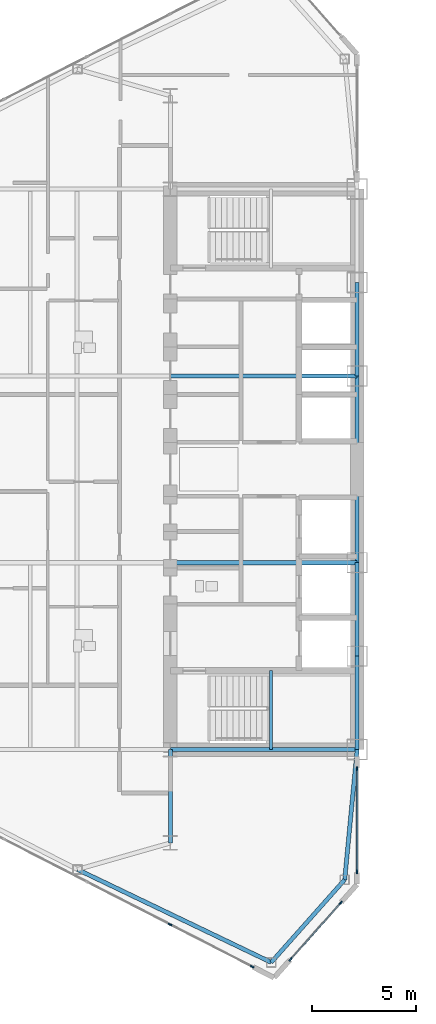
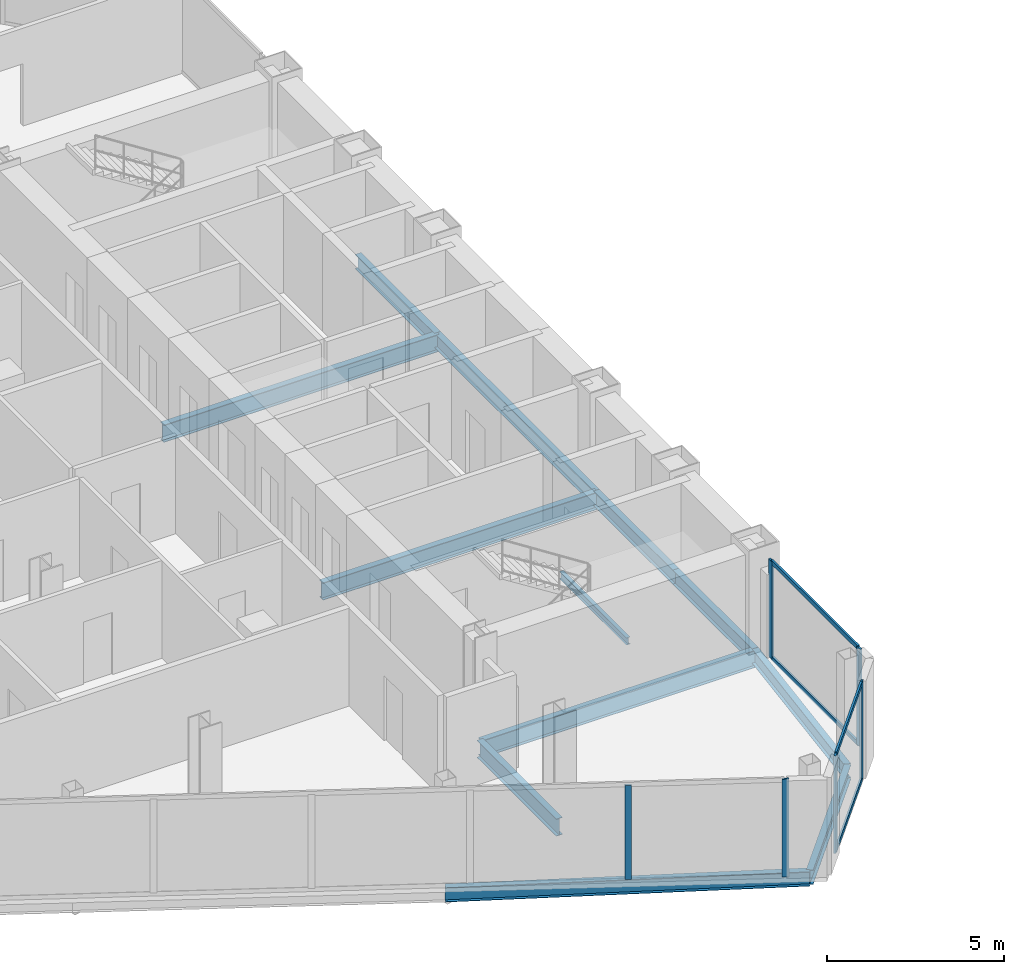
# One storey, part 5 of 24: 12 beams, 10 members, 3 elements without a shape of their own.
"""IFC4 building model written with IfcOpenShell, lengths in metres."""

from ifc_helpers import new_model, si_unit, direction, frame, origin, origin_2d, place, context, subcontext, project, spatial, rectangle, i_section, extrude, source, transform, mapped, material, layer, layer_set, material_profile, profile_set, type_object, type_shapes, element, aggregate, save


model = new_model("IFC4")

# Units and contexts
model_context = context("Model", 3, precision=1e-05, world=origin(), true_north=direction((0.0, 1.0)))
body_context = subcontext(model_context, "Body", "Model", "MODEL_VIEW")
ifc_project = project(units=[si_unit("LENGTHUNIT", "METRE"), si_unit("AREAUNIT", "SQUARE_METRE"), si_unit("VOLUMEUNIT", "CUBIC_METRE"), si_unit("PLANEANGLEUNIT", "RADIAN"), si_unit("MASSUNIT", "GRAM", prefix="KILO")], contexts=[model_context])

# Site, building, storey
site_placement = place(None, origin())
site = spatial("IfcSite", under=ifc_project, at=site_placement, CompositionType="ELEMENT")
building_placement = place(site_placement, origin())
building = spatial("IfcBuilding", under=site, at=building_placement, Name="Seokmaru Belvedere", CompositionType="ELEMENT")
storey_placement = place(building_placement, frame((0.0, 0.0, 124.800048828125)))
storey = spatial("IfcBuildingStorey", under=building, at=storey_placement, Name="L33", CompositionType="ELEMENT", Elevation=124.800048828125)

# Beams
ifc_material_1 = material(Name="Steel SM355 (355 MPa)", Category="steel")
ifc_material_profile_1 = material_profile(ifc_material_1, i_section(OverallWidth=0.199951171875, OverallDepth=0.5, WebThickness=0.010009765625, FlangeThickness=0.01611328125, at=origin_2d()), Name="H-500x200x10x16")
ifc_profile_set_1 = profile_set([ifc_material_profile_1], Name="Steel SM355 (355 MPa)")
beam_type_1 = type_object("IfcBeamType", Name="Perimeter Spandrel Beam H-500", PredefinedType="SPANDREL", material=ifc_profile_set_1)
shared_shape_1 = source(origin(), body_context, "Body", "SweptSolid", [
    extrude(i_section(OverallWidth=0.199951171875, OverallDepth=0.5, WebThickness=0.010009765625, FlangeThickness=0.01611328125, at=origin_2d()), origin(), (0.0, 0.0, 1.0), 4.5),
])
for number, where, z_axis, x_axis, name in (
    (1, (-27.5, -13.5, -0.469970703125), (0.0, 1.0, 0.0), (-1.0, 0.0, 0.0), "L33 W Portal Spine Spandrel 1"),
    (2, (-27.5, -9.0, -0.469970703125), (0.0, 1.0, 0.0), (-1.0, 0.0, 0.0), "L33 W Portal Spine Spandrel 2"),
    (3, (-27.5, 4.5, -0.469970703125), (0.0, 1.0, 0.0), (-1.0, 0.0, 0.0), "L33 W Portal Spine Spandrel 4"),
):
    element("IfcBeam", number, at=place(storey_placement, frame(where, z_axis=z_axis, x_axis=x_axis)), inside=storey, type_object=beam_type_1, Name=name, PredefinedType="SPANDREL", context=body_context, shape_type="MappedRepresentation", body=[
        mapped(shared_shape_1, transform((0.0, 0.0, 0.0), scale=1.0)),
    ])
shared_shape_2 = source(origin(), body_context, "Body", "SweptSolid", [
    extrude(i_section(OverallWidth=0.199951171875, OverallDepth=0.5, WebThickness=0.010009765625, FlangeThickness=0.01611328125, at=origin_2d()), origin(), (0.0, 0.0, 1.0), 9.0),
])
beam_1_placement = place(storey_placement, frame((-27.5, -4.5, -0.469970703125), z_axis=(0.0, 1.0, 0.0), x_axis=(-1.0, 0.0, 0.0)))
element("IfcBeam", 4, at=beam_1_placement, inside=storey, type_object=beam_type_1, Name="L33 W Portal Spine Spandrel 3", PredefinedType="SPANDREL", context=body_context, shape_type="MappedRepresentation", body=[
    mapped(shared_shape_2, transform((0.0, 0.0, 0.0), scale=1.0)),
])
ifc_material_profile_2 = material_profile(ifc_material_1, i_section(OverallWidth=0.199951171875, OverallDepth=0.60009765625, WebThickness=0.010986328125, FlangeThickness=0.01708984375, at=origin_2d()), Name="H-600x200x11x17")
ifc_profile_set_2 = profile_set([ifc_material_profile_2], Name="Steel SM355 (355 MPa)")
beam_type_2 = type_object("IfcBeamType", Name="Primary Floor Girder H-600", PredefinedType="BEAM", material=ifc_profile_set_2)
shared_shape_3 = source(origin(), body_context, "Body", "SweptSolid", [
    extrude(i_section(OverallWidth=0.199951171875, OverallDepth=0.60009765625, WebThickness=0.010986328125, FlangeThickness=0.01708984375, at=origin_2d()), origin(), (0.0, 0.0, 1.0), 9.0),
])
for number, where, z_axis, x_axis, name in (
    (5, (-36.5, -13.5, -0.52001953125), (1.0, 0.0, 0.0), (0.0, 1.0, 0.0), "L33 W Core Tie Girder 1"),
    (6, (-36.5, -4.5, -0.52001953125), (1.0, 0.0, 0.0), (0.0, 1.0, 0.0), "L33 W Core Tie Girder 2"),
    (7, (-36.5, 4.5, -0.52001953125), (1.0, 0.0, 0.0), (0.0, 1.0, 0.0), "L33 W Core Tie Girder 3"),
):
    element("IfcBeam", number, at=place(storey_placement, frame(where, z_axis=z_axis, x_axis=x_axis)), inside=storey, type_object=beam_type_2, Name=name, PredefinedType="BEAM", context=body_context, shape_type="MappedRepresentation", body=[
        mapped(shared_shape_3, transform((0.0, 0.0, 0.0), scale=1.0)),
    ])
shared_shape_4 = source(origin(), body_context, "Body", "SweptSolid", [
    extrude(i_section(OverallWidth=0.199951171875, OverallDepth=0.60009765625, WebThickness=0.010986328125, FlangeThickness=0.01708984375, at=origin_2d()), origin(), (0.0, 0.0, 1.0), 4.5),
])
type_shapes(beam_type_2, [shared_shape_3, shared_shape_4])
beam_2_placement = place(storey_placement, frame((-36.5, -18.0, -0.52001953125), z_axis=(0.0, 1.0, 0.0), x_axis=(-1.0, 0.0, 0.0)))
element("IfcBeam", 8, at=beam_2_placement, inside=storey, type_object=beam_type_2, Name="L33 W Core Shoulder Girder S", PredefinedType="BEAM", context=body_context, shape_type="MappedRepresentation", body=[
    mapped(shared_shape_4, transform((0.0, 0.0, 0.0), scale=1.0)),
])
shared_shape_5 = source(origin(), body_context, "Body", "SweptSolid", [
    extrude(i_section(OverallWidth=0.199951171875, OverallDepth=0.5, WebThickness=0.010009765625, FlangeThickness=0.01611328125, at=origin_2d()), origin(), (0.0, 0.0, 1.0), 10.353759765625),
])
beam_3_placement = place(storey_placement, frame((-31.6396484375, -23.75390625, -0.469970703125), z_axis=(-0.901713202822, 0.432334708134, 0.0), x_axis=(-0.432334708134, -0.901713202822, 0.0)))
element("IfcBeam", 9, at=beam_3_placement, inside=storey, type_object=beam_type_1, Name="L33 W Faceted Flank Spandrel S-1", PredefinedType="SPANDREL", context=body_context, shape_type="MappedRepresentation", body=[
    mapped(shared_shape_5, transform((0.0, 0.0, 0.0), scale=1.0)),
])
shared_shape_6 = source(origin(), body_context, "Body", "SweptSolid", [
    extrude(i_section(OverallWidth=0.199951171875, OverallDepth=0.5, WebThickness=0.010009765625, FlangeThickness=0.01611328125, at=origin_2d()), origin(), (0.0, 0.0, 1.0), 5.32763671875),
])
beam_4_placement = place(storey_placement, frame((-31.6396484375, -23.75390625, -0.469970703125), z_axis=(0.66436952742, 0.74740426212, 0.0), x_axis=(-0.74740426212, 0.66436952742, 0.0)))
element("IfcBeam", 10, at=beam_4_placement, inside=storey, type_object=beam_type_1, Name="L33 W Shoulder Chamfer Spandrel S", PredefinedType="SPANDREL", context=body_context, shape_type="MappedRepresentation", body=[
    mapped(shared_shape_6, transform((0.0, 0.0, 0.0), scale=1.0)),
])
shared_shape_7 = source(origin(), body_context, "Body", "SweptSolid", [
    extrude(i_section(OverallWidth=0.199951171875, OverallDepth=0.5, WebThickness=0.010009765625, FlangeThickness=0.01611328125, at=origin_2d()), origin(), (0.0, 0.0, 1.0), 6.300537109375),
])
type_shapes(beam_type_1, [shared_shape_1, shared_shape_2, shared_shape_5, shared_shape_6, shared_shape_7])
beam_5_placement = place(storey_placement, frame((-28.10009765625, -19.77197265625, -0.469970703125), z_axis=(0.095244287992, 0.995453929424, 0.0), x_axis=(-0.995453929424, 0.095244287992, 0.0)))
element("IfcBeam", 11, at=beam_5_placement, inside=storey, type_object=beam_type_1, Name="L33 W Shoulder Spine Spandrel S", PredefinedType="SPANDREL", context=body_context, shape_type="MappedRepresentation", body=[
    mapped(shared_shape_7, transform((0.0, 0.0, 0.0), scale=1.0)),
])

# Curtain wall, members
ifc_material_2 = material(Name="Bronze Triple Insulating Glass", Category="glass")
ifc_layer = layer(ifc_material_2, 0.195068359375)
ifc_layer_set = layer_set([ifc_layer], Name="Bronze Triple Insulating Glass")
curtain_wall_type = type_object("IfcCurtainWallType", Name="Sky-Lobby and Mid-Rise Curtain Wall System CW-4", PredefinedType="NOTDEFINED", material=ifc_layer_set)
curtain_wall_1_placement = place(storey_placement, origin())
curtain_wall_1 = element("IfcCurtainWall", 12, at=curtain_wall_1_placement, inside=storey, type_object=curtain_wall_type, Name="L33 Curtain Wall WSP_1", PredefinedType="NOTDEFINED")
ifc_material_3 = material(Name="Anodised Bronze Aluminium", Category="aluminium")
ifc_material_profile_3 = material_profile(ifc_material_3, rectangle(XDim=0.070068359375, YDim=0.195068359375, at=origin_2d()), Name="CW-M-70x195")
ifc_profile_set_3 = profile_set([ifc_material_profile_3], Name="Anodised Bronze Aluminium")
member_type_1 = type_object("IfcMemberType", Name="Bronze Unitised Mullion 70x195", PredefinedType="MULLION", material=ifc_profile_set_3)
shared_shape_8 = source(origin(), body_context, "Body", "SweptSolid", [
    extrude(rectangle(XDim=0.070068359375, YDim=0.195068359375, at=origin_2d()), origin(), (0.0, 0.0, 1.0), 3.3798828125),
])
member_1_placement = place(storey_placement, frame((-27.5, -19.39501953125, 0.0), z_axis=(0.0, 0.0, 1.0), x_axis=(-1.0, 0.0, 0.0)))
member_1 = element("IfcMember", 13, at=member_1_placement, type_object=member_type_1, Name="CW:L33:WSP_1 Mullion 1", PredefinedType="MULLION", context=body_context, shape_type="MappedRepresentation", body=[
    mapped(shared_shape_8, transform((0.0, 0.0, 0.0), scale=1.0)),
])
member_2_placement = place(storey_placement, frame((-27.5, -14.4150390625, 0.0), z_axis=(0.0, 0.0, 1.0), x_axis=(-1.0, 0.0, 0.0)))
member_2 = element("IfcMember", 14, at=member_2_placement, type_object=member_type_1, Name="CW:L33:WSP_1 Mullion 2", PredefinedType="MULLION", context=body_context, shape_type="MappedRepresentation", body=[
    mapped(shared_shape_8, transform((0.0, 0.0, 0.0), scale=1.0)),
])

# Curtain wall, member
curtain_wall_2_placement = place(storey_placement, origin())
curtain_wall_2 = element("IfcCurtainWall", 15, at=curtain_wall_2_placement, inside=storey, type_object=curtain_wall_type, Name="L33 Curtain Wall WF5", PredefinedType="NOTDEFINED")
member_3_placement = place(storey_placement, frame((-32.55419921875, -23.958984375, 0.0), z_axis=(0.0, 0.0, 1.0), x_axis=(0.456554528263, 0.889695432562, 0.0)))
member_3 = element("IfcMember", 16, at=member_3_placement, type_object=member_type_1, Name="CW:L33:WF5 Mullion 10", PredefinedType="MULLION", context=body_context, shape_type="MappedRepresentation", body=[
    mapped(shared_shape_8, transform((0.0, 0.0, 0.0), scale=1.0)),
])

# Curtain wall, members
curtain_wall_3_placement = place(storey_placement, origin())
curtain_wall_3 = element("IfcCurtainWall", 17, at=curtain_wall_3_placement, inside=storey, type_object=curtain_wall_type, Name="L33 Curtain Wall WF6", PredefinedType="NOTDEFINED")
member_4_placement = place(storey_placement, frame((-30.712646484375, -23.6142578125, 0.0), z_axis=(0.0, 0.0, 1.0), x_axis=(-0.747409774804, 0.664363325694, 0.0)))
member_4 = element("IfcMember", 18, at=member_4_placement, type_object=member_type_1, Name="CW:L33:WF6 Mullion 1", PredefinedType="MULLION", context=body_context, shape_type="MappedRepresentation", body=[
    mapped(shared_shape_8, transform((0.0, 0.0, 0.0), scale=1.0)),
])
member_5_placement = place(storey_placement, frame((-28.287353515625, -20.8857421875, 0.0), z_axis=(0.0, 0.0, 1.0), x_axis=(-0.747409774804, 0.664363325694, 0.0)))
member_5 = element("IfcMember", 19, at=member_5_placement, type_object=member_type_1, Name="CW:L33:WF6 Mullion 2", PredefinedType="MULLION", context=body_context, shape_type="MappedRepresentation", body=[
    mapped(shared_shape_8, transform((0.0, 0.0, 0.0), scale=1.0)),
])

# Member
ifc_material_profile_4 = material_profile(ifc_material_3, rectangle(XDim=0.06494140625, YDim=0.14990234375, at=origin_2d()), Name="CW-T-65x150")
ifc_profile_set_4 = profile_set([ifc_material_profile_4], Name="Anodised Bronze Aluminium")
member_type_2 = type_object("IfcMemberType", Name="Bronze Unitised Transom 65x150", PredefinedType="USERDEFINED", material=ifc_profile_set_4)
shared_shape_9 = source(origin(), body_context, "Body", "SweptSolid", [
    extrude(rectangle(XDim=0.06494140625, YDim=0.14990234375, at=origin_2d()), origin(), (0.0, 0.0, 1.0), 4.91015625),
])
member_6_placement = place(storey_placement, frame((-27.5, -19.360107421875, 0.032470703125), z_axis=(0.0, 1.0, 0.0), x_axis=(-1.0, 0.0, 0.0)))
member_6 = element("IfcMember", 20, at=member_6_placement, type_object=member_type_2, Name="CW:L33:WSP_1 Continuous Transom 1", ObjectType="TRANSOM", PredefinedType="USERDEFINED", context=body_context, shape_type="MappedRepresentation", body=[
    mapped(shared_shape_9, transform((0.0, 0.0, 0.0), scale=1.0)),
])

member_7_placement = place(storey_placement, frame((-27.5, -19.360107421875, 3.347412109375), z_axis=(0.0, 1.0, 0.0), x_axis=(-1.0, 0.0, 0.0)))
member_7 = element("IfcMember", 21, at=member_7_placement, type_object=member_type_2, Name="CW:L33:WSP_1 Continuous Transom 2", ObjectType="TRANSOM", PredefinedType="USERDEFINED", context=body_context, shape_type="MappedRepresentation", body=[
    mapped(shared_shape_9, transform((0.0, 0.0, 0.0), scale=1.0)),
])

aggregate(curtain_wall_1, [member_1, member_2, member_6, member_7])

shared_shape_10 = source(origin(), body_context, "Body", "SweptSolid", [
    extrude(rectangle(XDim=0.06494140625, YDim=0.14990234375, at=origin_2d()), origin(), (0.0, 0.0, 1.0), 3.580810546875),
])
type_shapes(member_type_2, [shared_shape_9, shared_shape_10])
member_8_placement = place(storey_placement, frame((-30.689453125, -23.588134765625, 0.032470703125), z_axis=(0.66436383883, 0.747409318684, 0.0), x_axis=(-0.747409318684, 0.66436383883, 0.0)))
member_8 = element("IfcMember", 22, at=member_8_placement, type_object=member_type_2, Name="CW:L33:WF6 Continuous Transom 1", ObjectType="TRANSOM", PredefinedType="USERDEFINED", context=body_context, shape_type="MappedRepresentation", body=[
    mapped(shared_shape_10, transform((0.0, 0.0, 0.0), scale=1.0)),
])

member_9_placement = place(storey_placement, frame((-30.689453125, -23.588134765625, 3.347412109375), z_axis=(0.66436383883, 0.747409318684, 0.0), x_axis=(-0.747409318684, 0.66436383883, 0.0)))
member_9 = element("IfcMember", 23, at=member_9_placement, type_object=member_type_2, Name="CW:L33:WF6 Continuous Transom 2", ObjectType="TRANSOM", PredefinedType="USERDEFINED", context=body_context, shape_type="MappedRepresentation", body=[
    mapped(shared_shape_10, transform((0.0, 0.0, 0.0), scale=1.0)),
])

aggregate(curtain_wall_3, [member_4, member_5, member_8, member_9])

shared_shape_11 = source(origin(), body_context, "Body", "SweptSolid", [
    extrude(rectangle(XDim=0.070068359375, YDim=0.195068359375, at=origin_2d()), origin(), (0.0, 0.0, 1.0), 3.25),
])
type_shapes(member_type_1, [shared_shape_8, shared_shape_11])
member_10_placement = place(storey_placement, frame((-36.51806640625, -21.925048828125, 0.06494140625), z_axis=(0.0, 0.0, 1.0), x_axis=(0.456554528263, 0.889695432562, 0.0)))
member_10 = element("IfcMember", 24, at=member_10_placement, type_object=member_type_1, Name="CW:L33:WF5 Mullion 9", PredefinedType="MULLION", context=body_context, shape_type="MappedRepresentation", body=[
    mapped(shared_shape_11, transform((0.0, 0.0, 0.0), scale=1.0)),
])

aggregate(curtain_wall_2, [member_10, member_3])

# Beam
ifc_material_profile_5 = material_profile(ifc_material_1, i_section(OverallWidth=0.125, OverallDepth=0.25, WebThickness=0.006103515625, FlangeThickness=0.009033203125, at=origin_2d()), Name="H-250x125x6x9")
ifc_profile_set_5 = profile_set([ifc_material_profile_5], Name="Steel SM355 (355 MPa)")
beam_type_3 = type_object("IfcBeamType", Name="Stair Mid-Landing Support Beam H-250", PredefinedType="JOIST", material=ifc_profile_set_5)
shared_shape_12 = source(origin(), body_context, "Body", "SweptSolid", [
    extrude(i_section(OverallWidth=0.125, OverallDepth=0.25, WebThickness=0.006103515625, FlangeThickness=0.009033203125, at=origin_2d()), origin(), (0.0, 0.0, 1.0), 3.800048828125),
])
type_shapes(beam_type_3, [shared_shape_12])
beam_6_placement = place(storey_placement, frame((-31.64990234375, -13.5, 1.474853515625), z_axis=(0.0, 1.0, 0.0), x_axis=(-1.0, 0.0, 0.0)))
element("IfcBeam", 25, at=beam_6_placement, inside=storey, type_object=beam_type_3, Name="L33 Stair ST-W1 Mid-Landing Support Beam 1", PredefinedType="JOIST", context=body_context, shape_type="MappedRepresentation", body=[
    mapped(shared_shape_12, transform((0.0, 0.0, 0.0), scale=1.0)),
])

save(model, "model.ifc")
